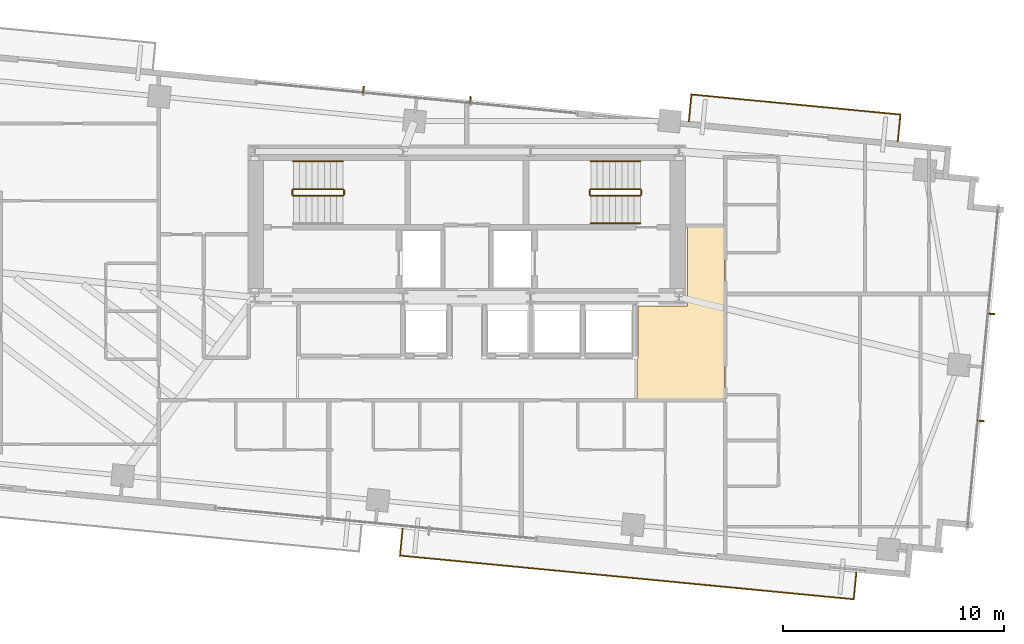
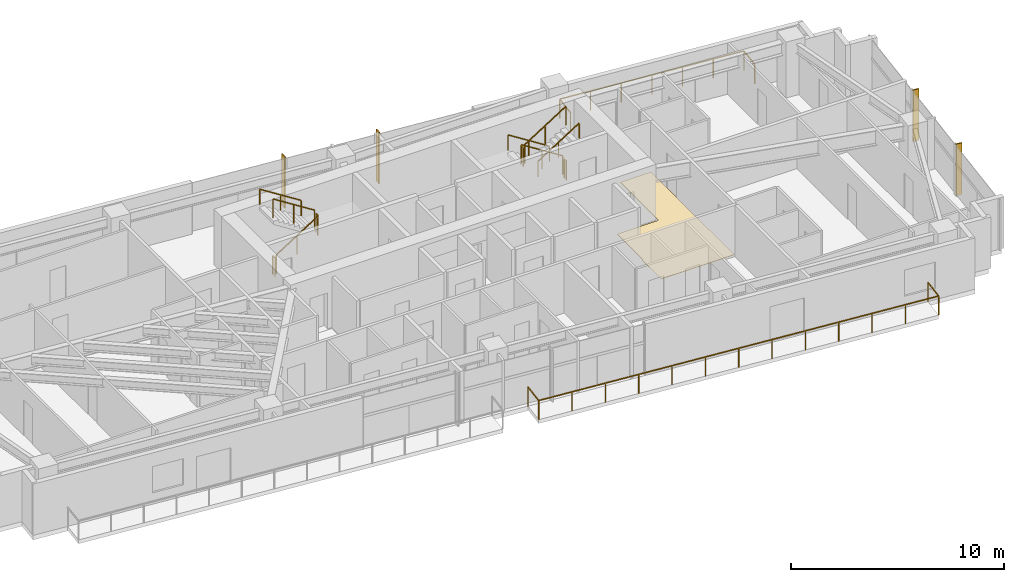
# One storey, part 19 of 19: 13 railings, 4 shading devices, 1 covering.
"""IFC4 building model written with IfcOpenShell, lengths in metres."""

import ifcopenshell
import ifcopenshell.guid

model = None  # the IFC model being written
_history = None  # IfcOwnerHistory: only IFC2X3 demands one
_inside = {}  # id of a spatial element -> (the spatial element, [elements in it])
_under = {}  # id of a project, library or spatial element -> (it, [spatial elements below it])
_declared = {}  # id of a project -> (the project, [libraries it declares])
_typed = {}  # id of a type object -> (the type object, [elements of that type])
_made_of = {}  # id of a material, layer set ... -> (it, [elements and type objects made of it])


def new_model(schema):
    """Start an empty IFC model of exactly this schema.

    Asked for "IFC4X3", IfcOpenShell would pick the latest addendum, in which some entities
    have other attributes; the version numbers below select the first issue.
    IFC2X3 requires an IfcOwnerHistory on every rooted entity: one is made here for all.
    """
    global model, _history
    if schema == "IFC4X3":
        model = ifcopenshell.file(schema_version=(4, 3, 0, 0))
    else:
        model = ifcopenshell.file(schema=schema)
    _inside.clear()
    _under.clear()
    _declared.clear()
    _typed.clear()
    _made_of.clear()
    _history = None
    if model.schema == "IFC2X3":
        org = make("IfcOrganization", Name="unknown")
        user = make(
            "IfcPersonAndOrganization",
            ThePerson=make("IfcPerson", FamilyName="unknown"),
            TheOrganization=org,
        )
        app = make(
            "IfcApplication",
            ApplicationDeveloper=org,
            Version="unknown",
            ApplicationFullName="unknown",
            ApplicationIdentifier="unknown",
        )
        _history = make(
            "IfcOwnerHistory",
            OwningUser=user,
            OwningApplication=app,
            ChangeAction="ADDED",
            CreationDate=0,
        )
    return model


def make(cls, **values):
    """One entity of the class cls with the attributes given. An attribute that is None is left unset."""
    return model.create_entity(
        cls, **{name: value for name, value in values.items() if value is not None}
    )


def rooted(cls, **values):
    """An entity with a GlobalId (a new one), such as an element, a storey or a relation."""
    return make(cls, GlobalId=ifcopenshell.guid.new(), OwnerHistory=_history, **values)


def si_unit(unit_type, name, prefix=None):
    """IfcSIUnit, for example si_unit("LENGTHUNIT", "METRE", prefix="MILLI")."""
    return make("IfcSIUnit", UnitType=unit_type, Prefix=prefix, Name=name)


def assignment(units):
    """IfcUnitAssignment: the units of a project."""
    return None if units is None else make("IfcUnitAssignment", Units=units)


def point(xyz):
    """IfcCartesianPoint."""
    return None if xyz is None else make("IfcCartesianPoint", Coordinates=xyz)


def direction(xyz):
    """IfcDirection."""
    return None if xyz is None else make("IfcDirection", DirectionRatios=xyz)


def frame(location, z_axis=None, x_axis=None):
    """IfcAxis2Placement3D, a coordinate frame: its origin and axes. An axis left out is left unset."""
    return make(
        "IfcAxis2Placement3D",
        Location=point(location),
        Axis=direction(z_axis),
        RefDirection=direction(x_axis),
    )


def frame_2d(location, x_axis=None):
    """IfcAxis2Placement2D, a coordinate frame in the plane: its origin and x axis."""
    return make(
        "IfcAxis2Placement2D", Location=point(location), RefDirection=direction(x_axis)
    )


def origin():
    """The frame at (0, 0, 0) with its axes left unset."""
    return frame((0.0, 0.0, 0.0))


def origin_2d():
    """The frame at (0, 0) in the plane with its x axis left unset."""
    return frame_2d((0.0, 0.0))


def place(relative_to, where):
    """IfcLocalPlacement: puts the frame where relative to a parent placement (None: the world)."""
    return make(
        "IfcLocalPlacement", PlacementRelTo=relative_to, RelativePlacement=where
    )


def context(
    kind, dimensions, precision=None, world=None, true_north=None, identifier=None
):
    """IfcGeometricRepresentationContext, for example the 3D "Model" context."""
    return make(
        "IfcGeometricRepresentationContext",
        ContextIdentifier=identifier,
        ContextType=kind,
        CoordinateSpaceDimension=dimensions,
        Precision=precision,
        WorldCoordinateSystem=world,
        TrueNorth=true_north,
    )


def subcontext(parent, identifier, kind, view, scale=None):
    """IfcGeometricRepresentationSubContext, for example "Body" below "Model"."""
    return make(
        "IfcGeometricRepresentationSubContext",
        ContextIdentifier=identifier,
        ContextType=kind,
        ParentContext=parent,
        TargetScale=scale,
        TargetView=view,
    )


def project(units=None, contexts=None):
    """IfcProject with its units and contexts."""
    return rooted(
        "IfcProject",
        Name="project",
        RepresentationContexts=contexts,
        UnitsInContext=assignment(units),
    )


def spatial(cls, under=None, at=None, **own):
    """A site, building, storey or space (cls), placed at a placement, below another one or the project."""
    s = rooted(cls, ObjectPlacement=at, **own)
    if under is not None:
        _under.setdefault(under.id(), (under, []))[1].append(s)
    return s


def polyline(points):
    """IfcPolyline through the points."""
    return make("IfcPolyline", Points=[point(p) for p in points])


def profile(cls, at=None, kind="AREA", **sizes):
    """A parametric profile (cls). Its sizes go by their IFC names, for example OverallWidth=200.0."""
    return make(cls, ProfileType=kind, Position=at, **sizes)


def rectangle(**sizes):
    """IfcRectangleProfileDef."""
    return profile("IfcRectangleProfileDef", **sizes)


def outline(outer, holes=None, kind="AREA"):
    """IfcArbitraryClosedProfileDef: a profile drawn as a closed curve; with holes, ...WithVoids."""
    if holes is None:
        return make("IfcArbitraryClosedProfileDef", ProfileType=kind, OuterCurve=outer)
    return make(
        "IfcArbitraryProfileDefWithVoids",
        ProfileType=kind,
        OuterCurve=outer,
        InnerCurves=holes,
    )


def extrude(swept, where, along, depth):
    """IfcExtrudedAreaSolid: the profile swept, set in the frame where, extruded along a direction by depth."""
    return make(
        "IfcExtrudedAreaSolid",
        SweptArea=swept,
        Position=where,
        ExtrudedDirection=direction(along),
        Depth=depth,
    )


def shape(context_of_items, identifier, shape_type, items):
    """IfcShapeRepresentation: the items that make up one representation, for example the "Body"."""
    return make(
        "IfcShapeRepresentation",
        ContextOfItems=context_of_items,
        RepresentationIdentifier=identifier,
        RepresentationType=shape_type,
        Items=items,
    )


def source(mapping_origin, context_of_items, identifier, shape_type, items):
    """IfcRepresentationMap: a shape defined once, which mapped items show again and again."""
    return make(
        "IfcRepresentationMap",
        MappingOrigin=mapping_origin,
        MappedRepresentation=shape(context_of_items, identifier, shape_type, items),
    )


def transform(
    local_origin,
    x_axis=None,
    y_axis=None,
    z_axis=None,
    scale=None,
    scale2=None,
    scale3=None,
    uniform=True,
):
    """IfcCartesianTransformationOperator3D, or its non-uniform kind. x_axis, y_axis, z_axis: its Axis1, 2, 3."""
    if uniform:
        return make(
            "IfcCartesianTransformationOperator3D",
            Axis1=direction(x_axis),
            Axis2=direction(y_axis),
            LocalOrigin=point(local_origin),
            Scale=scale,
            Axis3=direction(z_axis),
        )
    return make(
        "IfcCartesianTransformationOperator3DnonUniform",
        Axis1=direction(x_axis),
        Axis2=direction(y_axis),
        LocalOrigin=point(local_origin),
        Scale=scale,
        Axis3=direction(z_axis),
        Scale2=scale2,
        Scale3=scale3,
    )


def mapped(mapping_source, mapping_target):
    """IfcMappedItem: shows the shape of a source again, moved by a transform."""
    return make(
        "IfcMappedItem", MappingSource=mapping_source, MappingTarget=mapping_target
    )


def material(Name=None, Category=None):
    """IfcMaterial."""
    return make("IfcMaterial", Name=Name, Category=Category)


def layer(
    of_material, thickness, ventilated=None, Name=None, Category=None, Priority=None
):
    """IfcMaterialLayer: one layer of a wall or slab, of a material (None: an air gap)."""
    return make(
        "IfcMaterialLayer",
        Material=of_material,
        LayerThickness=thickness,
        IsVentilated=ventilated,
        Name=Name,
        Category=Category,
        Priority=Priority,
    )


def layer_set(layers, Name=None):
    """IfcMaterialLayerSet."""
    return make("IfcMaterialLayerSet", MaterialLayers=layers, LayerSetName=Name)


def made_of(thing, what):
    """Note that an element or type object is made of a material, layer set ...; save() writes the relation."""
    if what is not None:
        _made_of.setdefault(what.id(), (what, []))[1].append(thing)
    return thing


def type_object(cls, material=None, **own):
    """A type object (cls), such as IfcWallType, which elements share."""
    return made_of(rooted(cls, **own), material)


def type_shapes(of_type, sources):
    """Give a type object the sources (RepresentationMaps) that its elements show as mapped items."""
    of_type.RepresentationMaps = sources


def element(
    cls,
    number,
    at=None,
    inside=None,
    cuts=None,
    type_object=None,
    material=None,
    context=None,
    identifier="Body",
    shape_type=None,
    held_by="IfcProductDefinitionShape",
    body=None,
    shapes=None,
    **own,
):
    """One element of the class cls, such as IfcWall. Its Tag is "e" and its number.

    at: its placement. inside: the storey or other place that contains it. cuts: it is an
    opening in that element (IfcRelVoidsElement). A single representation is given by context,
    identifier, shape_type and body (its items); several are given by shapes. held_by: the class
    of the entity that holds the representations. save() writes the other relations.
    """
    e = rooted(cls, Tag="e%d" % number, ObjectPlacement=at, **own)
    if body is not None:
        shapes = [shape(context, identifier, shape_type, body)]
    if shapes is not None:
        e.Representation = make(held_by, Representations=shapes)
    if inside is not None:
        _inside.setdefault(inside.id(), (inside, []))[1].append(e)
    if cuts is not None:
        rooted(
            "IfcRelVoidsElement", RelatingBuildingElement=cuts, RelatedOpeningElement=e
        )
    if type_object is not None:
        _typed.setdefault(type_object.id(), (type_object, []))[1].append(e)
    return made_of(e, material)


def aggregate(whole, parts):
    """IfcRelAggregates: a whole, such as a stair, and the parts it consists of."""
    return rooted("IfcRelAggregates", RelatingObject=whole, RelatedObjects=parts)


def save(model, path):
    """Write the relations noted so far, then the file.

    IfcRelAggregates (storeys below a building ...), IfcRelContainedInSpatialStructure (elements
    in a storey), IfcRelDefinesByType, IfcRelAssociatesMaterial and IfcRelDeclares: one each for
    every whole, place, type object, material and project.
    """
    for whole, parts in _under.values():
        aggregate(whole, parts)
    for where, things in _inside.values():
        rooted(
            "IfcRelContainedInSpatialStructure",
            RelatedElements=things,
            RelatingStructure=where,
        )
    for kind, things in _typed.values():
        rooted("IfcRelDefinesByType", RelatedObjects=things, RelatingType=kind)
    for what, things in _made_of.values():
        rooted("IfcRelAssociatesMaterial", RelatedObjects=things, RelatingMaterial=what)
    for by, libraries in _declared.values():
        rooted("IfcRelDeclares", RelatingContext=by, RelatedDefinitions=libraries)
    model.write(path)


model = new_model("IFC4")

# Units and contexts
model_context = context("Model", 3, precision=1e-05, world=origin(), true_north=direction((0.0, 1.0)))
body_context = subcontext(model_context, "Body", "Model", "MODEL_VIEW")
ifc_project = project(units=[si_unit("LENGTHUNIT", "METRE"), si_unit("AREAUNIT", "SQUARE_METRE"), si_unit("VOLUMEUNIT", "CUBIC_METRE"), si_unit("PLANEANGLEUNIT", "RADIAN"), si_unit("MASSUNIT", "GRAM", prefix="KILO")], contexts=[model_context])

# Site, building, storey
site_placement = place(None, origin())
site = spatial("IfcSite", under=ifc_project, at=site_placement, CompositionType="ELEMENT")
building_placement = place(site_placement, origin())
building = spatial("IfcBuilding", under=site, at=building_placement, Name="Astriad Promenade Condominiums", CompositionType="ELEMENT")
storey_placement = place(building_placement, frame((0.0, 0.0, 147.0)))
storey = spatial("IfcBuildingStorey", under=building, at=storey_placement, Name="L42", CompositionType="ELEMENT", Elevation=147.0)

# Covering
ifc_material_1 = material(Name="Polished Lakefront Terrazzo Flooring")
ifc_layer = layer(ifc_material_1, 0.02001953125)
ifc_layer_set = layer_set([ifc_layer], Name="Polished Lakefront Terrazzo Flooring")
covering_type = type_object("IfcCoveringType", Name="COV-FLOR-TERRAZZO-20", PredefinedType="FLOORING", material=ifc_layer_set)
covering_placement = place(storey_placement, origin())
element("IfcCovering", 1, at=covering_placement, inside=storey, type_object=covering_type, Name="FLR-L42-COR-1", PredefinedType="FLOORING", context=body_context, shape_type="SweptSolid", body=[
    extrude(outline(polyline([(43.699951171875, 12.7900390625), (43.699951171875, 14.610107421875), (43.703857421875, 14.610107421875), (43.707763671875, 14.61083984375), (43.711669921875, 14.61181640625), (43.71533203125, 14.613037109375), (43.718994140625, 14.61474609375), (43.72216796875, 14.61669921875), (43.725341796875, 14.619140625), (43.728271484375, 14.62158203125), (43.73095703125, 14.62451171875), (43.7333984375, 14.627685546875), (43.7353515625, 14.631103515625), (43.737060546875, 14.634765625), (43.73828125, 14.638427734375), (43.7392578125, 14.64208984375), (43.73974609375, 14.64599609375), (43.739990234375, 14.64990234375), (43.739990234375, 17.010009765625), (45.949951171875, 17.010009765625), (45.953857421875, 17.01025390625), (45.957763671875, 17.0107421875), (45.961669921875, 17.01171875), (45.96533203125, 17.012939453125), (45.968994140625, 17.0146484375), (45.97216796875, 17.0166015625), (45.975341796875, 17.01904296875), (45.978271484375, 17.021728515625), (45.98095703125, 17.024658203125), (45.9833984375, 17.02783203125), (45.9853515625, 17.031005859375), (45.987060546875, 17.03466796875), (45.98828125, 17.038330078125), (45.9892578125, 17.042236328125), (45.98974609375, 17.046142578125), (45.989990234375, 17.050048828125), (45.989990234375, 20.610107421875), (47.659912109375, 20.610107421875), (47.659912109375, 12.7900390625), (43.699951171875, 12.7900390625)])), origin(), (0.0, 0.0, 1.0), 0.02001953125),
])

# Shading devices
ifc_material_2 = material(Name="Anodised aluminium 6063-T6 Black Fin", Category="aluminium")
shading_device_type = type_object("IfcShadingDeviceType", Name="FIN-BLACK-260", PredefinedType="USERDEFINED", material=ifc_material_2)
shared_shape_1 = source(origin(), body_context, "Body", "SweptSolid", [
    extrude(rectangle(XDim=0.06494140625, YDim=0.320068359375, at=origin_2d()), origin(), (0.0, 0.0, 1.0), 2.93994140625),
])
type_shapes(shading_device_type, [shared_shape_1])
for number, where, z_axis, x_axis, name in (
    (2, (31.3212890625, 26.7978515625, 0.0), (0.0, 0.0, 1.0), (0.995396198367, -0.09584575252, 0.0), "CW-L42-N-FIN-01"),
    (3, (36.1591796875, 26.331787109375, 0.0), (0.0, 0.0, 1.0), (0.995396198367, -0.09584575252, 0.0), "CW-L42-N-FIN-02"),
    (4, (59.7197265625, 16.652587890625, 0.0), (0.0, 0.0, 1.0), (-0.09584575252, -0.995396198367, 0.0), "CW-L42-E-FIN-01"),
    (5, (59.25341796875, 11.808349609375, 0.0), (0.0, 0.0, 1.0), (-0.09584575252, -0.995396198367, 0.0), "CW-L42-E-FIN-02"),
):
    element("IfcShadingDevice", number, at=place(storey_placement, frame(where, z_axis=z_axis, x_axis=x_axis)), inside=storey, type_object=shading_device_type, Name=name, ObjectType="FIN", PredefinedType="USERDEFINED", context=body_context, shape_type="MappedRepresentation", body=[
        mapped(shared_shape_1, transform((0.0, 0.0, 0.0), scale=1.0)),
    ])

# Railings
ifc_material_3 = material(Name="Laminated Glass and Stainless Steel Balustrade", Category="steel")
railing_type_1 = type_object("IfcRailingType", Name="GRD-BALC-1120", PredefinedType="BALUSTRADE", material=ifc_material_3)
shared_shape_2 = source(origin(), body_context, "Body", "SweptSolid", [
    extrude(rectangle(XDim=0.048095703125, YDim=0.048095703125, at=origin_2d()), frame((0.0, 0.0, 1.09619140625), z_axis=(-0.095659020692, -0.99541416092, 0.0), x_axis=(0.99541416092, -0.095659020692, 0.0)), (0.0, 0.0, 1.0), 1.219970703125),
    extrude(rectangle(XDim=0.048095703125, YDim=0.048095703125, at=origin_2d()), frame((-0.11669921875, -1.21435546875, 1.09619140625), z_axis=(0.995396772652, -0.095839788159, 0.0), x_axis=(0.095839788159, 0.995396772652, 0.0)), (0.0, 0.0, 1.0), 20.6337890625),
    extrude(rectangle(XDim=0.048095703125, YDim=0.048095703125, at=origin_2d()), frame((20.422119140625, -3.19189453125, 1.09619140625), z_axis=(0.095857307208, 0.99539508571, 0.0), x_axis=(-0.99539508571, 0.095857307208, 0.0)), (0.0, 0.0, 1.0), 1.219970703125),
    extrude(rectangle(XDim=0.0419921875, YDim=0.0419921875, at=origin_2d()), origin(), (0.0, 0.0, 1.0), 1.072021484375),
    extrude(rectangle(XDim=0.0419921875, YDim=0.0419921875, at=origin_2d()), frame((-0.11669921875, -1.21435546875, 0.0)), (0.0, 0.0, 1.0), 1.072021484375),
    extrude(rectangle(XDim=0.0419921875, YDim=0.0419921875, at=origin_2d()), frame((1.594970703125, -1.379150390625, 0.0)), (0.0, 0.0, 1.0), 1.072021484375),
    extrude(rectangle(XDim=0.0419921875, YDim=0.0419921875, at=origin_2d()), frame((3.306396484375, -1.5439453125, 0.0)), (0.0, 0.0, 1.0), 1.072021484375),
    extrude(rectangle(XDim=0.0419921875, YDim=0.0419921875, at=origin_2d()), frame((5.01806640625, -1.708740234375, 0.0)), (0.0, 0.0, 1.0), 1.072021484375),
    extrude(rectangle(XDim=0.0419921875, YDim=0.0419921875, at=origin_2d()), frame((6.7294921875, -1.87353515625, 0.0)), (0.0, 0.0, 1.0), 1.072021484375),
    extrude(rectangle(XDim=0.0419921875, YDim=0.0419921875, at=origin_2d()), frame((8.441162109375, -2.038330078125, 0.0)), (0.0, 0.0, 1.0), 1.072021484375),
    extrude(rectangle(XDim=0.0419921875, YDim=0.0419921875, at=origin_2d()), frame((10.15283203125, -2.203125, 0.0)), (0.0, 0.0, 1.0), 1.072021484375),
    extrude(rectangle(XDim=0.0419921875, YDim=0.0419921875, at=origin_2d()), frame((11.8642578125, -2.367919921875, 0.0)), (0.0, 0.0, 1.0), 1.072021484375),
    extrude(rectangle(XDim=0.0419921875, YDim=0.0419921875, at=origin_2d()), frame((13.575927734375, -2.53271484375, 0.0)), (0.0, 0.0, 1.0), 1.072021484375),
    extrude(rectangle(XDim=0.0419921875, YDim=0.0419921875, at=origin_2d()), frame((15.287353515625, -2.697509765625, 0.0)), (0.0, 0.0, 1.0), 1.072021484375),
    extrude(rectangle(XDim=0.0419921875, YDim=0.0419921875, at=origin_2d()), frame((16.9990234375, -2.8623046875, 0.0)), (0.0, 0.0, 1.0), 1.072021484375),
    extrude(rectangle(XDim=0.0419921875, YDim=0.0419921875, at=origin_2d()), frame((18.71044921875, -3.027099609375, 0.0)), (0.0, 0.0, 1.0), 1.072021484375),
    extrude(rectangle(XDim=0.0419921875, YDim=0.0419921875, at=origin_2d()), frame((20.422119140625, -3.19189453125, 0.0)), (0.0, 0.0, 1.0), 1.072021484375),
    extrude(rectangle(XDim=0.0419921875, YDim=0.0419921875, at=origin_2d()), frame((20.5390625, -1.9775390625, 0.0)), (0.0, 0.0, 1.0), 1.072021484375),
])
railing_1_placement = place(storey_placement, frame((33.0869140625, 6.927001953125, 0.0)))
element("IfcRailing", 6, at=railing_1_placement, inside=storey, type_object=railing_type_1, Name="GRD-BALC-L42-SE", PredefinedType="BALUSTRADE", context=body_context, shape_type="MappedRepresentation", body=[
    mapped(shared_shape_2, transform((0.0, 0.0, 0.0), scale=1.0)),
])
shared_shape_3 = source(origin(), body_context, "Body", "SweptSolid", [
    extrude(rectangle(XDim=0.048095703125, YDim=0.048095703125, at=origin_2d()), frame((0.0, 0.0, 1.09619140625), z_axis=(0.0958382164, 0.995396923984, 0.0), x_axis=(-0.995396923984, 0.0958382164, 0.0)), (0.0, 0.0, 1.0), 1.22021484375),
    extrude(rectangle(XDim=0.048095703125, YDim=0.048095703125, at=origin_2d()), frame((0.116943359375, 1.214599609375, 1.09619140625), z_axis=(-0.995396127139, 0.095846492246, 0.0), x_axis=(-0.095846492246, -0.995396127139, 0.0)), (0.0, 0.0, 1.0), 9.506103515625),
    extrude(rectangle(XDim=0.048095703125, YDim=0.048095703125, at=origin_2d()), frame((-9.345458984375, 2.125732421875, 1.09619140625), z_axis=(-0.095639968643, -0.995415991633, 0.0), x_axis=(0.995415991633, -0.095639968643, 0.0)), (0.0, 0.0, 1.0), 1.22021484375),
    extrude(rectangle(XDim=0.0419921875, YDim=0.0419921875, at=origin_2d()), origin(), (0.0, 0.0, 1.0), 1.072021484375),
    extrude(rectangle(XDim=0.0419921875, YDim=0.0419921875, at=origin_2d()), frame((0.116943359375, 1.214599609375, 0.0)), (0.0, 0.0, 1.0), 1.072021484375),
    extrude(rectangle(XDim=0.0419921875, YDim=0.0419921875, at=origin_2d()), frame((-1.460205078125, 1.366455078125, 0.0)), (0.0, 0.0, 1.0), 1.072021484375),
    extrude(rectangle(XDim=0.0419921875, YDim=0.0419921875, at=origin_2d()), frame((-3.037109375, 1.518310546875, 0.0)), (0.0, 0.0, 1.0), 1.072021484375),
    extrude(rectangle(XDim=0.0419921875, YDim=0.0419921875, at=origin_2d()), frame((-4.6142578125, 1.670166015625, 0.0)), (0.0, 0.0, 1.0), 1.072021484375),
    extrude(rectangle(XDim=0.0419921875, YDim=0.0419921875, at=origin_2d()), frame((-6.19140625, 1.822021484375, 0.0)), (0.0, 0.0, 1.0), 1.072021484375),
    extrude(rectangle(XDim=0.0419921875, YDim=0.0419921875, at=origin_2d()), frame((-7.768310546875, 1.973876953125, 0.0)), (0.0, 0.0, 1.0), 1.072021484375),
    extrude(rectangle(XDim=0.0419921875, YDim=0.0419921875, at=origin_2d()), frame((-9.345458984375, 2.125732421875, 0.0)), (0.0, 0.0, 1.0), 1.072021484375),
    extrude(rectangle(XDim=0.0419921875, YDim=0.0419921875, at=origin_2d()), frame((-9.462158203125, 0.9111328125, 0.0)), (0.0, 0.0, 1.0), 1.072021484375),
])
type_shapes(railing_type_1, [shared_shape_2, shared_shape_3])
railing_2_placement = place(storey_placement, frame((55.504638671875, 24.458984375, 0.0)))
element("IfcRailing", 7, at=railing_2_placement, inside=storey, type_object=railing_type_1, Name="GRD-BALC-L42-NE", PredefinedType="BALUSTRADE", context=body_context, shape_type="MappedRepresentation", body=[
    mapped(shared_shape_3, transform((0.0, 0.0, 0.0), scale=1.0)),
])
ifc_material_4 = material(Name="Painted Galvanised Steel Guardrail", Category="steel")
railing_type_2 = type_object("IfcRailingType", Name="GRD-STAIR-1100", PredefinedType="GUARDRAIL", material=ifc_material_4)
shared_shape_4 = source(origin(), body_context, "Body", "SweptSolid", [
    extrude(rectangle(XDim=0.048095703125, YDim=0.048095703125, at=origin_2d()), frame((0.0, 0.0, 1.076171875), z_axis=(0.0, 1.0, 0.0), x_axis=(-1.0, 0.0, 0.0)), (0.0, 0.0, 1.0), 0.199951171875),
    extrude(rectangle(XDim=0.0419921875, YDim=0.0419921875, at=origin_2d()), origin(), (0.0, 0.0, 1.0), 1.052001953125),
    extrude(rectangle(XDim=0.0419921875, YDim=0.0419921875, at=origin_2d()), frame((0.0, 0.199951171875, 0.0)), (0.0, 0.0, 1.0), 1.052001953125),
])
for number, where, name in (
    (8, (30.43994140625, 22.050048828125, 1.60009765625), "L42 ST-1 stair guard 2"),
    (9, (28.10009765625, 22.050048828125, 0.0), "L42 ST-1 stair guard 4"),
):
    element("IfcRailing", number, at=place(storey_placement, frame(where)), inside=storey, type_object=railing_type_2, Name=name, PredefinedType="GUARDRAIL", context=body_context, shape_type="MappedRepresentation", body=[
        mapped(shared_shape_4, transform((0.0, 0.0, 0.0), scale=1.0)),
    ])
shared_shape_5 = source(origin(), body_context, "Body", "SweptSolid", [
    extrude(rectangle(XDim=0.048095703125, YDim=0.048095703125, at=origin_2d()), frame((0.0, 0.0, 1.076171875), z_axis=(0.84418770128, 0.0, 0.536047689118), x_axis=(0.0, 1.0, 0.0)), (0.0, 0.0, 1.0), 2.6533203125),
    extrude(rectangle(XDim=0.0419921875, YDim=0.0419921875, at=origin_2d()), origin(), (0.0, 0.0, 1.0), 1.052001953125),
    extrude(rectangle(XDim=0.0419921875, YDim=0.0419921875, at=origin_2d()), frame((1.1201171875, 0.0, 0.711181640625)), (0.0, 0.0, 1.0), 1.052001953125),
    extrude(rectangle(XDim=0.0419921875, YDim=0.0419921875, at=origin_2d()), frame((2.239990234375, 0.0, 1.42236328125)), (0.0, 0.0, 1.0), 1.052001953125),
])
railing_3_placement = place(storey_placement, frame((28.14990234375, 22.0, 0.177734375)))
element("IfcRailing", 10, at=railing_3_placement, inside=storey, type_object=railing_type_2, Name="L42 ST-1 stair guard 1", PredefinedType="GUARDRAIL", context=body_context, shape_type="MappedRepresentation", body=[
    mapped(shared_shape_5, transform((0.0, 0.0, 0.0), scale=1.0)),
])
shared_shape_6 = source(origin(), body_context, "Body", "SweptSolid", [
    extrude(rectangle(XDim=0.048095703125, YDim=0.048095703125, at=origin_2d()), frame((0.0, 0.0, 1.076171875), z_axis=(-0.8442293374, 0.0, 0.53598211339), x_axis=(0.0, -1.0, 0.0)), (0.0, 0.0, 1.0), 2.6533203125),
    extrude(rectangle(XDim=0.0419921875, YDim=0.0419921875, at=origin_2d()), origin(), (0.0, 0.0, 1.0), 1.052001953125),
    extrude(rectangle(XDim=0.0419921875, YDim=0.0419921875, at=origin_2d()), frame((-1.1201171875, 0.0, 0.7109375)), (0.0, 0.0, 1.0), 1.052001953125),
    extrude(rectangle(XDim=0.0419921875, YDim=0.0419921875, at=origin_2d()), frame((-2.239990234375, 0.0, 1.422119140625)), (0.0, 0.0, 1.0), 1.052001953125),
])
railing_4_placement = place(storey_placement, frame((30.389892578125, 22.300048828125, 1.77783203125)))
element("IfcRailing", 11, at=railing_4_placement, inside=storey, type_object=railing_type_2, Name="L42 ST-1 stair guard 3", PredefinedType="GUARDRAIL", context=body_context, shape_type="MappedRepresentation", body=[
    mapped(shared_shape_6, transform((0.0, 0.0, 0.0), scale=1.0)),
])
ifc_material_5 = material(Name="Brushed Stainless Steel Handrail", Category="steel")
railing_type_3 = type_object("IfcRailingType", Name="HRL-STAIR-920", PredefinedType="HANDRAIL", material=ifc_material_5)
shared_shape_7 = source(origin(), body_context, "Body", "SweptSolid", [
    extrude(rectangle(XDim=0.048095703125, YDim=0.048095703125, at=origin_2d()), frame((0.0, 0.0, 0.8759765625), z_axis=(-0.8442293374, 0.0, 0.53598211339), x_axis=(0.0, -1.0, 0.0)), (0.0, 0.0, 1.0), 2.6533203125),
    extrude(rectangle(XDim=0.0419921875, YDim=0.0419921875, at=origin_2d()), origin(), (0.0, 0.0, 1.0), 0.851806640625),
    extrude(rectangle(XDim=0.0419921875, YDim=0.0419921875, at=origin_2d()), frame((-1.1201171875, 0.0, 0.7109375)), (0.0, 0.0, 1.0), 0.851806640625),
    extrude(rectangle(XDim=0.0419921875, YDim=0.0419921875, at=origin_2d()), frame((-2.239990234375, 0.0, 1.422119140625)), (0.0, 0.0, 1.0), 0.851806640625),
])
railing_5_placement = place(storey_placement, frame((30.389892578125, 23.550048828125, 1.77783203125)))
element("IfcRailing", 12, at=railing_5_placement, inside=storey, type_object=railing_type_3, Name="L42 ST-1 stair handrail 2", PredefinedType="HANDRAIL", context=body_context, shape_type="MappedRepresentation", body=[
    mapped(shared_shape_7, transform((0.0, 0.0, 0.0), scale=1.0)),
])
shared_shape_8 = source(origin(), body_context, "Body", "SweptSolid", [
    extrude(rectangle(XDim=0.048095703125, YDim=0.048095703125, at=origin_2d()), frame((0.0, 0.0, 1.076171875), z_axis=(0.8442293374, 0.0, 0.53598211339), x_axis=(0.0, 1.0, 0.0)), (0.0, 0.0, 1.0), 2.6533203125),
    extrude(rectangle(XDim=0.0419921875, YDim=0.0419921875, at=origin_2d()), origin(), (0.0, 0.0, 1.0), 1.052001953125),
    extrude(rectangle(XDim=0.0419921875, YDim=0.0419921875, at=origin_2d()), frame((1.1201171875, 0.0, 0.7109375)), (0.0, 0.0, 1.0), 1.052001953125),
    extrude(rectangle(XDim=0.0419921875, YDim=0.0419921875, at=origin_2d()), frame((2.239990234375, 0.0, 1.422119140625)), (0.0, 0.0, 1.0), 1.052001953125),
])
railing_6_placement = place(storey_placement, frame((41.610107421875, 22.0, 1.77783203125)))
element("IfcRailing", 13, at=railing_6_placement, inside=storey, type_object=railing_type_2, Name="L42 ST-2 stair guard 3", PredefinedType="GUARDRAIL", context=body_context, shape_type="MappedRepresentation", body=[
    mapped(shared_shape_8, transform((0.0, 0.0, 0.0), scale=1.0)),
])
shared_shape_9 = source(origin(), body_context, "Body", "SweptSolid", [
    extrude(rectangle(XDim=0.048095703125, YDim=0.048095703125, at=origin_2d()), frame((0.0, 0.0, 1.076171875), z_axis=(-0.84418770128, 0.0, 0.536047689118), x_axis=(0.0, -1.0, 0.0)), (0.0, 0.0, 1.0), 2.6533203125),
    extrude(rectangle(XDim=0.0419921875, YDim=0.0419921875, at=origin_2d()), origin(), (0.0, 0.0, 1.0), 1.052001953125),
    extrude(rectangle(XDim=0.0419921875, YDim=0.0419921875, at=origin_2d()), frame((-1.1201171875, 0.0, 0.711181640625)), (0.0, 0.0, 1.0), 1.052001953125),
    extrude(rectangle(XDim=0.0419921875, YDim=0.0419921875, at=origin_2d()), frame((-2.239990234375, 0.0, 1.42236328125)), (0.0, 0.0, 1.0), 1.052001953125),
])
railing_7_placement = place(storey_placement, frame((43.85009765625, 22.300048828125, 0.177734375)))
element("IfcRailing", 14, at=railing_7_placement, inside=storey, type_object=railing_type_2, Name="L42 ST-2 stair guard 1", PredefinedType="GUARDRAIL", context=body_context, shape_type="MappedRepresentation", body=[
    mapped(shared_shape_9, transform((0.0, 0.0, 0.0), scale=1.0)),
])
shared_shape_10 = source(origin(), body_context, "Body", "SweptSolid", [
    extrude(rectangle(XDim=0.048095703125, YDim=0.048095703125, at=origin_2d()), frame((0.0, 0.0, 0.8759765625), z_axis=(0.8442293374, 0.0, 0.53598211339), x_axis=(0.0, 1.0, 0.0)), (0.0, 0.0, 1.0), 2.6533203125),
    extrude(rectangle(XDim=0.0419921875, YDim=0.0419921875, at=origin_2d()), origin(), (0.0, 0.0, 1.0), 0.851806640625),
    extrude(rectangle(XDim=0.0419921875, YDim=0.0419921875, at=origin_2d()), frame((1.1201171875, 0.0, 0.7109375)), (0.0, 0.0, 1.0), 0.851806640625),
    extrude(rectangle(XDim=0.0419921875, YDim=0.0419921875, at=origin_2d()), frame((2.239990234375, 0.0, 1.422119140625)), (0.0, 0.0, 1.0), 0.851806640625),
])
railing_8_placement = place(storey_placement, frame((41.610107421875, 20.75, 1.77783203125)))
element("IfcRailing", 15, at=railing_8_placement, inside=storey, type_object=railing_type_3, Name="L42 ST-2 stair handrail 2", PredefinedType="HANDRAIL", context=body_context, shape_type="MappedRepresentation", body=[
    mapped(shared_shape_10, transform((0.0, 0.0, 0.0), scale=1.0)),
])
shared_shape_11 = source(origin(), body_context, "Body", "SweptSolid", [
    extrude(rectangle(XDim=0.048095703125, YDim=0.048095703125, at=origin_2d()), frame((0.0, 0.0, 0.8759765625), z_axis=(-0.84418770128, 0.0, 0.536047689118), x_axis=(0.0, -1.0, 0.0)), (0.0, 0.0, 1.0), 2.6533203125),
    extrude(rectangle(XDim=0.0419921875, YDim=0.0419921875, at=origin_2d()), origin(), (0.0, 0.0, 1.0), 0.851806640625),
    extrude(rectangle(XDim=0.0419921875, YDim=0.0419921875, at=origin_2d()), frame((-1.1201171875, 0.0, 0.711181640625)), (0.0, 0.0, 1.0), 0.851806640625),
    extrude(rectangle(XDim=0.0419921875, YDim=0.0419921875, at=origin_2d()), frame((-2.239990234375, 0.0, 1.42236328125)), (0.0, 0.0, 1.0), 0.851806640625),
])
type_shapes(railing_type_3, [shared_shape_7, shared_shape_10, shared_shape_11])
railing_9_placement = place(storey_placement, frame((43.85009765625, 23.550048828125, 0.177734375)))
element("IfcRailing", 16, at=railing_9_placement, inside=storey, type_object=railing_type_3, Name="L42 ST-2 stair handrail 1", PredefinedType="HANDRAIL", context=body_context, shape_type="MappedRepresentation", body=[
    mapped(shared_shape_11, transform((0.0, 0.0, 0.0), scale=1.0)),
])
shared_shape_12 = source(origin(), body_context, "Body", "SweptSolid", [
    extrude(rectangle(XDim=0.048095703125, YDim=0.048095703125, at=origin_2d()), frame((0.0, 0.0, 1.076171875), z_axis=(0.0, -1.0, 0.0), x_axis=(1.0, 0.0, 0.0)), (0.0, 0.0, 1.0), 0.199951171875),
    extrude(rectangle(XDim=0.0419921875, YDim=0.0419921875, at=origin_2d()), origin(), (0.0, 0.0, 1.0), 1.052001953125),
    extrude(rectangle(XDim=0.0419921875, YDim=0.0419921875, at=origin_2d()), frame((0.0, -0.199951171875, 0.0)), (0.0, 0.0, 1.0), 1.052001953125),
])
type_shapes(railing_type_2, [shared_shape_4, shared_shape_5, shared_shape_6, shared_shape_8, shared_shape_9, shared_shape_12])
for number, where, name in (
    (17, (41.56005859375, 22.25, 1.60009765625), "L42 ST-2 stair guard 2"),
    (18, (43.89990234375, 22.25, 0.0), "L42 ST-2 stair guard 4"),
):
    element("IfcRailing", number, at=place(storey_placement, frame(where)), inside=storey, type_object=railing_type_2, Name=name, PredefinedType="GUARDRAIL", context=body_context, shape_type="MappedRepresentation", body=[
        mapped(shared_shape_12, transform((0.0, 0.0, 0.0), scale=1.0)),
    ])

save(model, "model.ifc")
